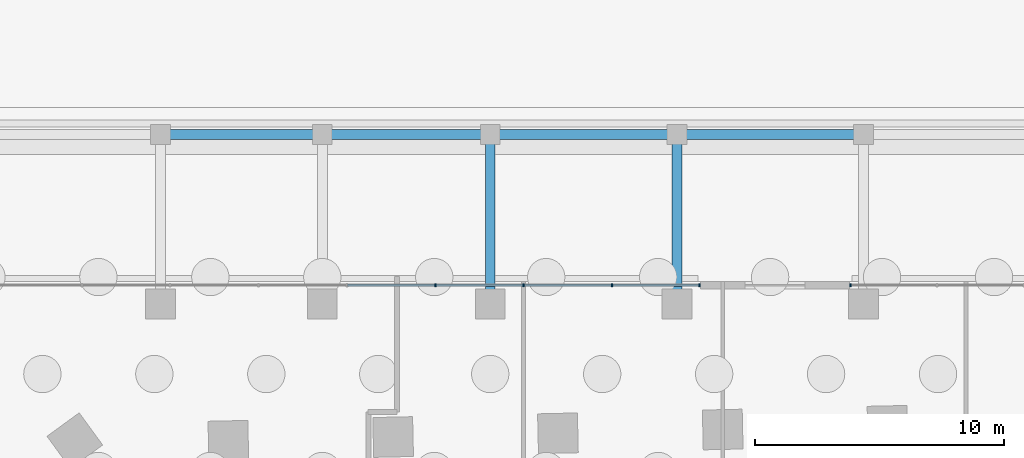
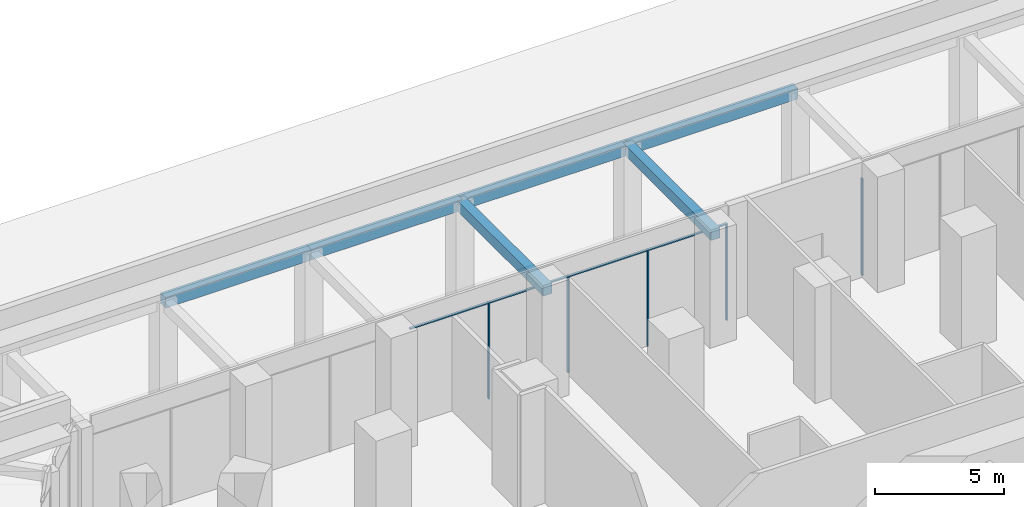
# One storey, part 32 of 46: 9 members, 6 beams, 2 elements without a shape of their own.
"""IFC4 building model written with IfcOpenShell, lengths in metres."""

from ifc_helpers import new_model, si_unit, direction, frame, origin, origin_2d, place, context, subcontext, project, spatial, rectangle, extrude, material, material_profile, profile_set, type_object, element, aggregate, save


model = new_model("IFC4")

# Units and contexts
model_context = context("Model", 3, precision=1e-05, world=origin(), true_north=direction((0.0, 1.0)))
body_context = subcontext(model_context, "Body", "Model", "MODEL_VIEW")
ifc_project = project(units=[si_unit("LENGTHUNIT", "METRE"), si_unit("AREAUNIT", "SQUARE_METRE"), si_unit("VOLUMEUNIT", "CUBIC_METRE"), si_unit("PLANEANGLEUNIT", "RADIAN"), si_unit("MASSUNIT", "GRAM", prefix="KILO")], contexts=[model_context])

# Site, building, storey
site_placement = place(None, origin())
site = spatial("IfcSite", under=ifc_project, at=site_placement, CompositionType="ELEMENT")
building_placement = place(site_placement, origin())
building = spatial("IfcBuilding", under=site, at=building_placement, Name="Mangrove Gate Tower", CompositionType="ELEMENT")
storey_placement = place(building_placement, origin())
storey = spatial("IfcBuildingStorey", under=building, at=storey_placement, Name="L00", CompositionType="ELEMENT", Elevation=0.0)

# Beams
ifc_material_1 = material(Name="Concrete C70/85", Category="concrete")
ifc_material_profile_1 = material_profile(ifc_material_1, rectangle(XDim=0.39990234375, YDim=0.5, at=origin_2d()))
ifc_profile_set_1 = profile_set([ifc_material_profile_1], Name="Concrete C70/85")
beam_type = type_object("IfcBeamType", Name="Canopy beam RC 400x500 C70/85", PredefinedType="BEAM", material=ifc_profile_set_1)
beam_1_placement = place(storey_placement, frame((-24.5, 36.89990234375, 4.830078125), z_axis=(1.0, 0.0, 0.0), x_axis=(0.0, 1.0, 0.0)))
element("IfcBeam", 1, at=beam_1_placement, inside=storey, type_object=beam_type, Name="Canopy beam L00 CEN03", PredefinedType="BEAM", context=body_context, shape_type="SweptSolid", body=[
    extrude(rectangle(XDim=0.39990234375, YDim=0.5, at=origin_2d()), origin(), (0.0, 0.0, 1.0), 6.5),
])
beam_2_placement = place(storey_placement, frame((-18.0, 36.89990234375, 4.830078125), z_axis=(1.0, 0.0, 0.0), x_axis=(0.0, 1.0, 0.0)))
element("IfcBeam", 2, at=beam_2_placement, inside=storey, type_object=beam_type, Name="Canopy beam L00 CEN04", PredefinedType="BEAM", context=body_context, shape_type="SweptSolid", body=[
    extrude(rectangle(XDim=0.39990234375, YDim=0.5, at=origin_2d()), origin(), (0.0, 0.0, 1.0), 6.75),
])
for number, where, z_axis, x_axis, name in (
    (3, (-11.25, 36.89990234375, 4.830078125), (1.0, 0.0, 0.0), (0.0, 1.0, 0.0), "Canopy beam L00 CEN05"),
    (4, (-3.75, 36.89990234375, 4.830078125), (1.0, 0.0, 0.0), (0.0, 1.0, 0.0), "Canopy beam L00 CEN06"),
):
    element("IfcBeam", number, at=place(storey_placement, frame(where, z_axis=z_axis, x_axis=x_axis)), inside=storey, type_object=beam_type, Name=name, PredefinedType="BEAM", context=body_context, shape_type="SweptSolid", body=[
        extrude(rectangle(XDim=0.39990234375, YDim=0.5, at=origin_2d()), origin(), (0.0, 0.0, 1.0), 7.5),
    ])
for number, where, z_axis, x_axis, name in (
    (5, (-11.25, 30.10009765625, 4.830078125), (0.0, 1.0, 0.0), (-1.0, 0.0, 0.0), "Canopy beam L00 CBN05"),
    (6, (-3.75, 30.10009765625, 4.830078125), (0.0, 1.0, 0.0), (-1.0, 0.0, 0.0), "Canopy beam L00 CBN06"),
):
    element("IfcBeam", number, at=place(storey_placement, frame(where, z_axis=z_axis, x_axis=x_axis)), inside=storey, type_object=beam_type, Name=name, PredefinedType="BEAM", context=body_context, shape_type="SweptSolid", body=[
        extrude(rectangle(XDim=0.39990234375, YDim=0.5, at=origin_2d()), origin(), (0.0, 0.0, 1.0), 6.7998046875),
    ])

# Curtain wall, member
ifc_material_2 = material(Name="Aluminium and glass curtain wall", Category="aluminium")
curtain_wall_type = type_object("IfcCurtainWallType", Name="Podium shopfront glazing wall", PredefinedType="NOTDEFINED", material=ifc_material_2)
curtain_wall_1_placement = place(storey_placement, origin())
curtain_wall_1 = element("IfcCurtainWall", 7, at=curtain_wall_1_placement, inside=storey, type_object=curtain_wall_type, Name="Podium shopfront glazing N12s1", PredefinedType="NOTDEFINED")
ifc_material_3 = material(Name="Aluminium alloy 6063-T6", Category="aluminium")
ifc_material_profile_2 = material_profile(ifc_material_3, rectangle(XDim=0.06005859375, YDim=0.1201171875, at=origin_2d()))
ifc_profile_set_2 = profile_set([ifc_material_profile_2], Name="Aluminium alloy 6063-T6")
member_type_1 = type_object("IfcMemberType", Name="Podium shopfront glazing mullion 60x120", PredefinedType="MULLION", material=ifc_profile_set_2)
member_1_placement = place(storey_placement, frame((3.22998046875, 30.85009765625, 0.0), z_axis=(0.0, 0.0, 1.0), x_axis=(-1.0, 0.0, 0.0)))
member_1 = element("IfcMember", 8, at=member_1_placement, type_object=member_type_1, Name="CWS mullion 9", PredefinedType="MULLION", context=body_context, shape_type="SweptSolid", body=[
    extrude(rectangle(XDim=0.06005859375, YDim=0.1201171875, at=origin_2d()), origin(), (0.0, 0.0, 1.0), 4.570068359375),
])
aggregate(curtain_wall_1, [member_1])

# Curtain wall, members
curtain_wall_2_placement = place(storey_placement, origin())
curtain_wall_2 = element("IfcCurtainWall", 9, at=curtain_wall_2_placement, inside=storey, type_object=curtain_wall_type, Name="Podium shopfront glazing N12s2", PredefinedType="NOTDEFINED")
member_2_placement = place(storey_placement, frame((-2.830078125, 30.85009765625, 0.0), z_axis=(0.0, 0.0, 1.0), x_axis=(-1.0, 0.0, 0.0)))
member_2 = element("IfcMember", 10, at=member_2_placement, type_object=member_type_1, Name="CWS mullion 1", PredefinedType="MULLION", context=body_context, shape_type="SweptSolid", body=[
    extrude(rectangle(XDim=0.06005859375, YDim=0.1201171875, at=origin_2d()), origin(), (0.0, 0.0, 1.0), 4.570068359375),
])
member_3_placement = place(storey_placement, frame((-6.3525390625, 30.85009765625, 0.0), z_axis=(0.0, 0.0, 1.0), x_axis=(-1.0, 0.0, 0.0)))
member_3 = element("IfcMember", 11, at=member_3_placement, type_object=member_type_1, Name="CWS mullion 2", PredefinedType="MULLION", context=body_context, shape_type="SweptSolid", body=[
    extrude(rectangle(XDim=0.06005859375, YDim=0.1201171875, at=origin_2d()), origin(), (0.0, 0.0, 1.0), 4.570068359375),
])
member_4_placement = place(storey_placement, frame((-9.905029296875, 30.85009765625, 0.0), z_axis=(0.0, 0.0, 1.0), x_axis=(-1.0, 0.0, 0.0)))
member_4 = element("IfcMember", 12, at=member_4_placement, type_object=member_type_1, Name="CWS mullion 3", PredefinedType="MULLION", context=body_context, shape_type="SweptSolid", body=[
    extrude(rectangle(XDim=0.06005859375, YDim=0.1201171875, at=origin_2d()), origin(), (0.0, 0.0, 1.0), 4.570068359375),
])
member_5_placement = place(storey_placement, frame((-13.45751953125, 30.85009765625, 0.0), z_axis=(0.0, 0.0, 1.0), x_axis=(-1.0, 0.0, 0.0)))
member_5 = element("IfcMember", 13, at=member_5_placement, type_object=member_type_1, Name="CWS mullion 4", PredefinedType="MULLION", context=body_context, shape_type="SweptSolid", body=[
    extrude(rectangle(XDim=0.06005859375, YDim=0.1201171875, at=origin_2d()), origin(), (0.0, 0.0, 1.0), 4.570068359375),
])
ifc_material_4 = material(Name="Aluminium alloy 6063-T6", Category="aluminium")
ifc_material_profile_3 = material_profile(ifc_material_4, rectangle(XDim=0.06005859375, YDim=0.10009765625, at=origin_2d()))
ifc_profile_set_3 = profile_set([ifc_material_profile_3], Name="Aluminium alloy 6063-T6")
member_type_2 = type_object("IfcMemberType", Name="Podium shopfront glazing transom 60x100", PredefinedType="USERDEFINED", material=ifc_profile_set_3)
member_6_placement = place(storey_placement, frame((-2.860107421875, 30.85009765625, 4.5400390625), z_axis=(-1.0, 0.0, 0.0), x_axis=(0.0, 0.0, 1.0)))
member_6 = element("IfcMember", 14, at=member_6_placement, type_object=member_type_2, Name="CWS transom 1.2", ObjectType="TRANSOM", PredefinedType="USERDEFINED", context=body_context, shape_type="SweptSolid", body=[
    extrude(rectangle(XDim=0.06005859375, YDim=0.10009765625, at=origin_2d()), origin(), (0.0, 0.0, 1.0), 3.46240234375),
])
member_7_placement = place(storey_placement, frame((-6.382568359375, 30.85009765625, 4.5400390625), z_axis=(-1.0, 0.0, 0.0), x_axis=(0.0, 0.0, 1.0)))
member_7 = element("IfcMember", 15, at=member_7_placement, type_object=member_type_2, Name="CWS transom 2.2", ObjectType="TRANSOM", PredefinedType="USERDEFINED", context=body_context, shape_type="SweptSolid", body=[
    extrude(rectangle(XDim=0.06005859375, YDim=0.10009765625, at=origin_2d()), origin(), (0.0, 0.0, 1.0), 3.492431640625),
])
member_8_placement = place(storey_placement, frame((-9.93505859375, 30.85009765625, 4.5400390625), z_axis=(-1.0, 0.0, 0.0), x_axis=(0.0, 0.0, 1.0)))
member_8 = element("IfcMember", 16, at=member_8_placement, type_object=member_type_2, Name="CWS transom 3.2", ObjectType="TRANSOM", PredefinedType="USERDEFINED", context=body_context, shape_type="SweptSolid", body=[
    extrude(rectangle(XDim=0.06005859375, YDim=0.10009765625, at=origin_2d()), origin(), (0.0, 0.0, 1.0), 3.492431640625),
])
member_9_placement = place(storey_placement, frame((-13.487548828125, 30.85009765625, 4.5400390625), z_axis=(-1.0, 0.0, 0.0), x_axis=(0.0, 0.0, 1.0)))
member_9 = element("IfcMember", 17, at=member_9_placement, type_object=member_type_2, Name="CWS transom 4.2", ObjectType="TRANSOM", PredefinedType="USERDEFINED", context=body_context, shape_type="SweptSolid", body=[
    extrude(rectangle(XDim=0.06005859375, YDim=0.10009765625, at=origin_2d()), origin(), (0.0, 0.0, 1.0), 3.492431640625),
])
aggregate(curtain_wall_2, [member_2, member_3, member_4, member_5, member_6, member_7, member_8, member_9])

save(model, "model.ifc")
